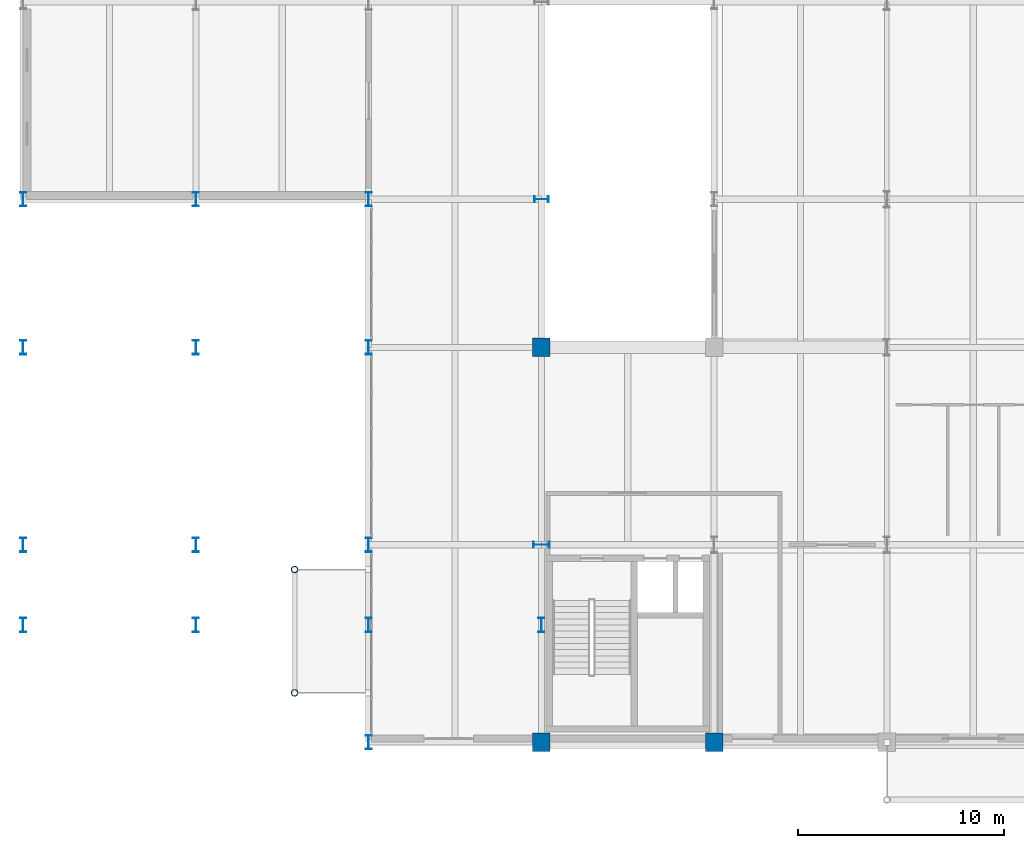
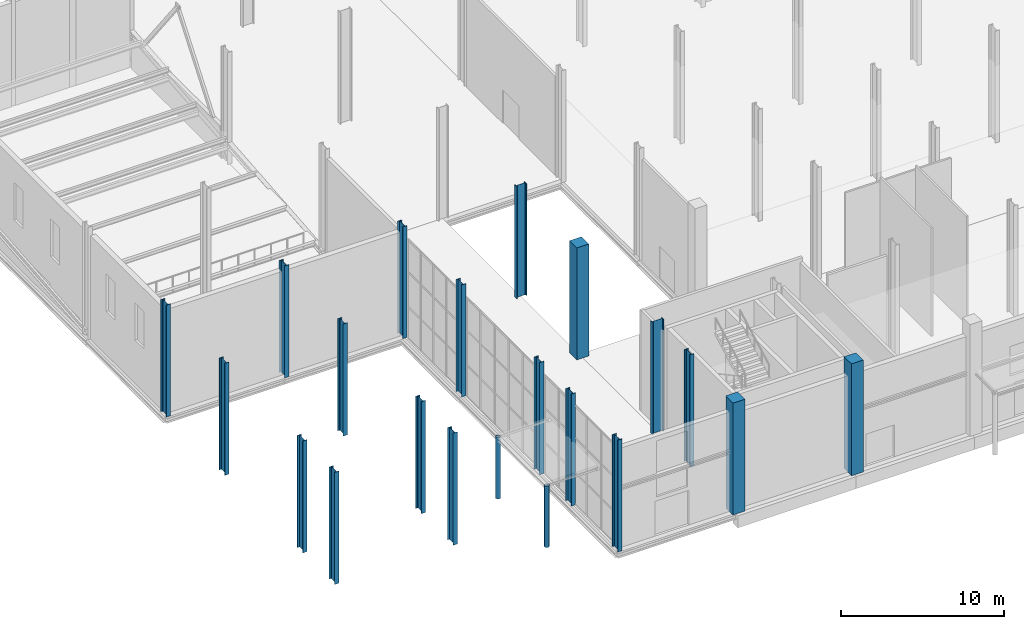
# One storey, part 1 of 131: 21 columns.
"""IFC4 building model written with IfcOpenShell, lengths in metres."""

import ifcopenshell
import ifcopenshell.guid

model = None  # the IFC model being written
_history = None  # IfcOwnerHistory: only IFC2X3 demands one
_inside = {}  # id of a spatial element -> (the spatial element, [elements in it])
_under = {}  # id of a project, library or spatial element -> (it, [spatial elements below it])
_declared = {}  # id of a project -> (the project, [libraries it declares])
_typed = {}  # id of a type object -> (the type object, [elements of that type])
_made_of = {}  # id of a material, layer set ... -> (it, [elements and type objects made of it])


def new_model(schema):
    """Start an empty IFC model of exactly this schema.

    Asked for "IFC4X3", IfcOpenShell would pick the latest addendum, in which some entities
    have other attributes; the version numbers below select the first issue.
    IFC2X3 requires an IfcOwnerHistory on every rooted entity: one is made here for all.
    """
    global model, _history
    if schema == "IFC4X3":
        model = ifcopenshell.file(schema_version=(4, 3, 0, 0))
    else:
        model = ifcopenshell.file(schema=schema)
    _inside.clear()
    _under.clear()
    _declared.clear()
    _typed.clear()
    _made_of.clear()
    _history = None
    if model.schema == "IFC2X3":
        org = make("IfcOrganization", Name="unknown")
        user = make(
            "IfcPersonAndOrganization",
            ThePerson=make("IfcPerson", FamilyName="unknown"),
            TheOrganization=org,
        )
        app = make(
            "IfcApplication",
            ApplicationDeveloper=org,
            Version="unknown",
            ApplicationFullName="unknown",
            ApplicationIdentifier="unknown",
        )
        _history = make(
            "IfcOwnerHistory",
            OwningUser=user,
            OwningApplication=app,
            ChangeAction="ADDED",
            CreationDate=0,
        )
    return model


def make(cls, **values):
    """One entity of the class cls with the attributes given. An attribute that is None is left unset."""
    return model.create_entity(
        cls, **{name: value for name, value in values.items() if value is not None}
    )


def rooted(cls, **values):
    """An entity with a GlobalId (a new one), such as an element, a storey or a relation."""
    return make(cls, GlobalId=ifcopenshell.guid.new(), OwnerHistory=_history, **values)


def si_unit(unit_type, name, prefix=None):
    """IfcSIUnit, for example si_unit("LENGTHUNIT", "METRE", prefix="MILLI")."""
    return make("IfcSIUnit", UnitType=unit_type, Prefix=prefix, Name=name)


def assignment(units):
    """IfcUnitAssignment: the units of a project."""
    return None if units is None else make("IfcUnitAssignment", Units=units)


def point(xyz):
    """IfcCartesianPoint."""
    return None if xyz is None else make("IfcCartesianPoint", Coordinates=xyz)


def direction(xyz):
    """IfcDirection."""
    return None if xyz is None else make("IfcDirection", DirectionRatios=xyz)


def frame(location, z_axis=None, x_axis=None):
    """IfcAxis2Placement3D, a coordinate frame: its origin and axes. An axis left out is left unset."""
    return make(
        "IfcAxis2Placement3D",
        Location=point(location),
        Axis=direction(z_axis),
        RefDirection=direction(x_axis),
    )


def frame_2d(location, x_axis=None):
    """IfcAxis2Placement2D, a coordinate frame in the plane: its origin and x axis."""
    return make(
        "IfcAxis2Placement2D", Location=point(location), RefDirection=direction(x_axis)
    )


def origin():
    """The frame at (0, 0, 0) with its axes left unset."""
    return frame((0.0, 0.0, 0.0))


def origin_2d():
    """The frame at (0, 0) in the plane with its x axis left unset."""
    return frame_2d((0.0, 0.0))


def place(relative_to, where):
    """IfcLocalPlacement: puts the frame where relative to a parent placement (None: the world)."""
    return make(
        "IfcLocalPlacement", PlacementRelTo=relative_to, RelativePlacement=where
    )


def context(
    kind, dimensions, precision=None, world=None, true_north=None, identifier=None
):
    """IfcGeometricRepresentationContext, for example the 3D "Model" context."""
    return make(
        "IfcGeometricRepresentationContext",
        ContextIdentifier=identifier,
        ContextType=kind,
        CoordinateSpaceDimension=dimensions,
        Precision=precision,
        WorldCoordinateSystem=world,
        TrueNorth=true_north,
    )


def subcontext(parent, identifier, kind, view, scale=None):
    """IfcGeometricRepresentationSubContext, for example "Body" below "Model"."""
    return make(
        "IfcGeometricRepresentationSubContext",
        ContextIdentifier=identifier,
        ContextType=kind,
        ParentContext=parent,
        TargetScale=scale,
        TargetView=view,
    )


def project(units=None, contexts=None):
    """IfcProject with its units and contexts."""
    return rooted(
        "IfcProject",
        Name="project",
        RepresentationContexts=contexts,
        UnitsInContext=assignment(units),
    )


def spatial(cls, under=None, at=None, **own):
    """A site, building, storey or space (cls), placed at a placement, below another one or the project."""
    s = rooted(cls, ObjectPlacement=at, **own)
    if under is not None:
        _under.setdefault(under.id(), (under, []))[1].append(s)
    return s


def profile(cls, at=None, kind="AREA", **sizes):
    """A parametric profile (cls). Its sizes go by their IFC names, for example OverallWidth=200.0."""
    return make(cls, ProfileType=kind, Position=at, **sizes)


def rectangle(**sizes):
    """IfcRectangleProfileDef."""
    return profile("IfcRectangleProfileDef", **sizes)


def hollow_circle(**sizes):
    """IfcCircleHollowProfileDef."""
    return profile("IfcCircleHollowProfileDef", **sizes)


def i_section(**sizes):
    """IfcIShapeProfileDef."""
    return profile("IfcIShapeProfileDef", **sizes)


def extrude(swept, where, along, depth):
    """IfcExtrudedAreaSolid: the profile swept, set in the frame where, extruded along a direction by depth."""
    return make(
        "IfcExtrudedAreaSolid",
        SweptArea=swept,
        Position=where,
        ExtrudedDirection=direction(along),
        Depth=depth,
    )


def shape(context_of_items, identifier, shape_type, items):
    """IfcShapeRepresentation: the items that make up one representation, for example the "Body"."""
    return make(
        "IfcShapeRepresentation",
        ContextOfItems=context_of_items,
        RepresentationIdentifier=identifier,
        RepresentationType=shape_type,
        Items=items,
    )


def material(Name=None, Category=None):
    """IfcMaterial."""
    return make("IfcMaterial", Name=Name, Category=Category)


def material_profile(
    of_material, cross_section, Name=None, Category=None, Priority=None
):
    """IfcMaterialProfile: a cross section and its material."""
    return make(
        "IfcMaterialProfile",
        Name=Name,
        Material=of_material,
        Profile=cross_section,
        Priority=Priority,
        Category=Category,
    )


def profile_set(profiles, Name=None, composite=None):
    """IfcMaterialProfileSet."""
    return make(
        "IfcMaterialProfileSet",
        Name=Name,
        MaterialProfiles=profiles,
        CompositeProfile=composite,
    )


def made_of(thing, what):
    """Note that an element or type object is made of a material, layer set ...; save() writes the relation."""
    if what is not None:
        _made_of.setdefault(what.id(), (what, []))[1].append(thing)
    return thing


def type_object(cls, material=None, **own):
    """A type object (cls), such as IfcWallType, which elements share."""
    return made_of(rooted(cls, **own), material)


def element(
    cls,
    number,
    at=None,
    inside=None,
    cuts=None,
    type_object=None,
    material=None,
    context=None,
    identifier="Body",
    shape_type=None,
    held_by="IfcProductDefinitionShape",
    body=None,
    shapes=None,
    **own,
):
    """One element of the class cls, such as IfcWall. Its Tag is "e" and its number.

    at: its placement. inside: the storey or other place that contains it. cuts: it is an
    opening in that element (IfcRelVoidsElement). A single representation is given by context,
    identifier, shape_type and body (its items); several are given by shapes. held_by: the class
    of the entity that holds the representations. save() writes the other relations.
    """
    e = rooted(cls, Tag="e%d" % number, ObjectPlacement=at, **own)
    if body is not None:
        shapes = [shape(context, identifier, shape_type, body)]
    if shapes is not None:
        e.Representation = make(held_by, Representations=shapes)
    if inside is not None:
        _inside.setdefault(inside.id(), (inside, []))[1].append(e)
    if cuts is not None:
        rooted(
            "IfcRelVoidsElement", RelatingBuildingElement=cuts, RelatedOpeningElement=e
        )
    if type_object is not None:
        _typed.setdefault(type_object.id(), (type_object, []))[1].append(e)
    return made_of(e, material)


def aggregate(whole, parts):
    """IfcRelAggregates: a whole, such as a stair, and the parts it consists of."""
    return rooted("IfcRelAggregates", RelatingObject=whole, RelatedObjects=parts)


def save(model, path):
    """Write the relations noted so far, then the file.

    IfcRelAggregates (storeys below a building ...), IfcRelContainedInSpatialStructure (elements
    in a storey), IfcRelDefinesByType, IfcRelAssociatesMaterial and IfcRelDeclares: one each for
    every whole, place, type object, material and project.
    """
    for whole, parts in _under.values():
        aggregate(whole, parts)
    for where, things in _inside.values():
        rooted(
            "IfcRelContainedInSpatialStructure",
            RelatedElements=things,
            RelatingStructure=where,
        )
    for kind, things in _typed.values():
        rooted("IfcRelDefinesByType", RelatedObjects=things, RelatingType=kind)
    for what, things in _made_of.values():
        rooted("IfcRelAssociatesMaterial", RelatedObjects=things, RelatingMaterial=what)
    for by, libraries in _declared.values():
        rooted("IfcRelDeclares", RelatingContext=by, RelatedDefinitions=libraries)
    model.write(path)


model = new_model("IFC4")

# Units and contexts
model_context = context("Model", 3, precision=1e-05, world=origin(), true_north=direction((0.0, 1.0)))
body_context = subcontext(model_context, "Body", "Model", "MODEL_VIEW")
ifc_project = project(units=[si_unit("LENGTHUNIT", "METRE"), si_unit("AREAUNIT", "SQUARE_METRE"), si_unit("VOLUMEUNIT", "CUBIC_METRE"), si_unit("PLANEANGLEUNIT", "RADIAN"), si_unit("MASSUNIT", "GRAM", prefix="KILO")], contexts=[model_context])

# Site, building, storey
site_placement = place(None, origin())
site = spatial("IfcSite", under=ifc_project, at=site_placement, CompositionType="ELEMENT")
building_placement = place(site_placement, origin())
building = spatial("IfcBuilding", under=site, at=building_placement, Name="Veltarok Museum of Natural Sciences", CompositionType="ELEMENT")
storey_placement = place(building_placement, origin())
storey = spatial("IfcBuildingStorey", under=building, at=storey_placement, Name="L00", CompositionType="ELEMENT", Elevation=0.0)

# Columns
ifc_material_1 = material(Name="Steel S355J2", Category="steel")
ifc_material_profile_1 = material_profile(ifc_material_1, hollow_circle(Radius=0.161865234375, WallThickness=0.01611328125, at=origin_2d()), Name="CHS 323.9x16")
ifc_profile_set_1 = profile_set([ifc_material_profile_1], Name="Steel S355J2")
column_type_1 = type_object("IfcColumnType", Name="Canopy Support Column CHS 323.9x16", PredefinedType="COLUMN", material=ifc_profile_set_1)
for number, where, z_axis, x_axis, name in (
    (1, (19.60009765625, 2.39990234375, 0.0), (0.0, 0.0, 1.0), (1.0, 0.0, 0.0), "Entrance Canopy Column CN-W1"),
    (2, (19.60009765625, 8.39990234375, 0.0), (0.0, 0.0, 1.0), (1.0, 0.0, 0.0), "Entrance Canopy Column CN-W2"),
):
    element("IfcColumn", number, at=place(storey_placement, frame(where, z_axis=z_axis, x_axis=x_axis)), inside=storey, type_object=column_type_1, Name=name, PredefinedType="COLUMN", context=body_context, shape_type="SweptSolid", body=[
        extrude(hollow_circle(Radius=0.161865234375, WallThickness=0.01611328125, at=origin_2d()), origin(), (0.0, 0.0, 1.0), 4.60009765625),
    ])
ifc_material_2 = material(Name="Concrete C40/50", Category="concrete")
ifc_material_profile_2 = material_profile(ifc_material_2, rectangle(XDim=0.85009765625, YDim=0.89990234375, at=origin_2d()), Name="RC 850x900")
ifc_profile_set_2 = profile_set([ifc_material_profile_2], Name="Concrete C40/50")
column_type_2 = type_object("IfcColumnType", Name="Exposed Cabinet Grid Column RC 850x900", PredefinedType="COLUMN", material=ifc_profile_set_2)
for number, where, z_axis, x_axis, name in (
    (3, (31.60009765625, 0.0, 0.0), (0.0, 0.0, 1.0), (1.0, 0.0, 0.0), "Column COL-CAB01 L00 4/A"),
    (4, (31.60009765625, 19.199951171875, 0.0), (0.0, 0.0, 1.0), (1.0, 0.0, 0.0), "Column COL-CAB01 L00 4/C"),
    (5, (40.0, 0.0, 0.0), (0.0, 0.0, 1.0), (1.0, 0.0, 0.0), "Column COL-CAB01 L00 5/A"),
):
    element("IfcColumn", number, at=place(storey_placement, frame(where, z_axis=z_axis, x_axis=x_axis)), inside=storey, type_object=column_type_2, Name=name, PredefinedType="COLUMN", context=body_context, shape_type="SweptSolid", body=[
        extrude(rectangle(XDim=0.85009765625, YDim=0.89990234375, at=origin_2d()), origin(), (0.0, 0.0, 1.0), 8.39990234375),
    ])
ifc_material_profile_3 = material_profile(ifc_material_1, i_section(OverallWidth=0.300048828125, OverallDepth=0.699951171875, WebThickness=0.01708984375, FlangeThickness=0.031982421875, FilletRadius=0.027099609375, at=origin_2d()), Name="HEB 700")
ifc_profile_set_3 = profile_set([ifc_material_profile_3], Name="Steel S355J2")
column_type_3 = type_object("IfcColumnType", Name="Perimeter Steel Column HEB 700", PredefinedType="COLUMN", material=ifc_profile_set_3)
for number, where, z_axis, x_axis, name in (
    (6, (6.39990234375, 9.60009765625, 0.0), (0.0, 0.0, 1.0), (1.0, 0.0, 0.0), "Column COL-EXT01 L00 1/B"),
    (7, (6.39990234375, 19.199951171875, 0.0), (0.0, 0.0, 1.0), (1.0, 0.0, 0.0), "Column COL-EXT01 L00 1/C"),
    (8, (6.39990234375, 26.39990234375, 0.0), (0.0, 0.0, 1.0), (1.0, 0.0, 0.0), "Column COL-EXT01 L00 1/D"),
    (9, (14.800048828125, 9.60009765625, 0.0), (0.0, 0.0, 1.0), (1.0, 0.0, 0.0), "Column COL-EXT01 L00 2/B"),
    (10, (14.800048828125, 19.199951171875, 0.0), (0.0, 0.0, 1.0), (1.0, 0.0, 0.0), "Column COL-EXT01 L00 2/C"),
    (11, (14.800048828125, 26.39990234375, 0.0), (0.0, 0.0, 1.0), (1.0, 0.0, 0.0), "Column COL-EXT01 L00 2/D"),
    (12, (23.199951171875, 0.0, 0.0), (0.0, 0.0, 1.0), (1.0, 0.0, 0.0), "Column COL-EXT01 L00 3/A"),
    (13, (23.199951171875, 9.60009765625, 0.0), (0.0, 0.0, 1.0), (1.0, 0.0, 0.0), "Column COL-EXT01 L00 3/B"),
    (14, (23.199951171875, 19.199951171875, 0.0), (0.0, 0.0, 1.0), (1.0, 0.0, 0.0), "Column COL-EXT01 L00 3/C"),
    (15, (23.199951171875, 26.39990234375, 0.0), (0.0, 0.0, 1.0), (1.0, 0.0, 0.0), "Column COL-EXT01 L00 3/D"),
    (16, (31.60009765625, 26.39990234375, 0.0), (0.0, 0.0, 1.0), (0.0, 1.0, 0.0), "Column COL-EXT01 L00 4/D"),
    (17, (6.39990234375, 5.699951171875, 0.0), (0.0, 0.0, 1.0), (1.0, 0.0, 0.0), "Bridge South Pier L00 1"),
    (18, (14.800048828125, 5.699951171875, 0.0), (0.0, 0.0, 1.0), (1.0, 0.0, 0.0), "Bridge South Pier L00 2"),
    (19, (23.199951171875, 5.699951171875, 0.0), (0.0, 0.0, 1.0), (1.0, 0.0, 0.0), "Bridge South Pier L00 3"),
    (20, (31.60009765625, 5.699951171875, 0.0), (0.0, 0.0, 1.0), (1.0, 0.0, 0.0), "Bridge South Pier L00 4"),
):
    element("IfcColumn", number, at=place(storey_placement, frame(where, z_axis=z_axis, x_axis=x_axis)), inside=storey, type_object=column_type_3, Name=name, PredefinedType="COLUMN", context=body_context, shape_type="SweptSolid", body=[
        extrude(i_section(OverallWidth=0.300048828125, OverallDepth=0.699951171875, WebThickness=0.01708984375, FlangeThickness=0.031982421875, FilletRadius=0.027099609375, at=origin_2d()), origin(), (0.0, 0.0, 1.0), 8.39990234375),
    ])
ifc_material_profile_4 = material_profile(ifc_material_1, i_section(OverallWidth=0.300048828125, OverallDepth=0.800048828125, WebThickness=0.017578125, FlangeThickness=0.032958984375, FilletRadius=0.030029296875, at=origin_2d()), Name="HEB 800")
ifc_profile_set_4 = profile_set([ifc_material_profile_4], Name="Steel S355J2")
column_type_4 = type_object("IfcColumnType", Name="Primary Frame Column HEB 800", PredefinedType="COLUMN", material=ifc_profile_set_4)
column_placement = place(storey_placement, frame((31.60009765625, 9.60009765625, 0.0), z_axis=(0.0, 0.0, 1.0), x_axis=(0.0, 1.0, 0.0)))
element("IfcColumn", 21, at=column_placement, inside=storey, type_object=column_type_4, Name="Column COL-S02 L00 4/B", PredefinedType="COLUMN", context=body_context, shape_type="SweptSolid", body=[
    extrude(i_section(OverallWidth=0.300048828125, OverallDepth=0.800048828125, WebThickness=0.017578125, FlangeThickness=0.032958984375, FilletRadius=0.030029296875, at=origin_2d()), origin(), (0.0, 0.0, 1.0), 8.39990234375),
])

save(model, "model.ifc")
